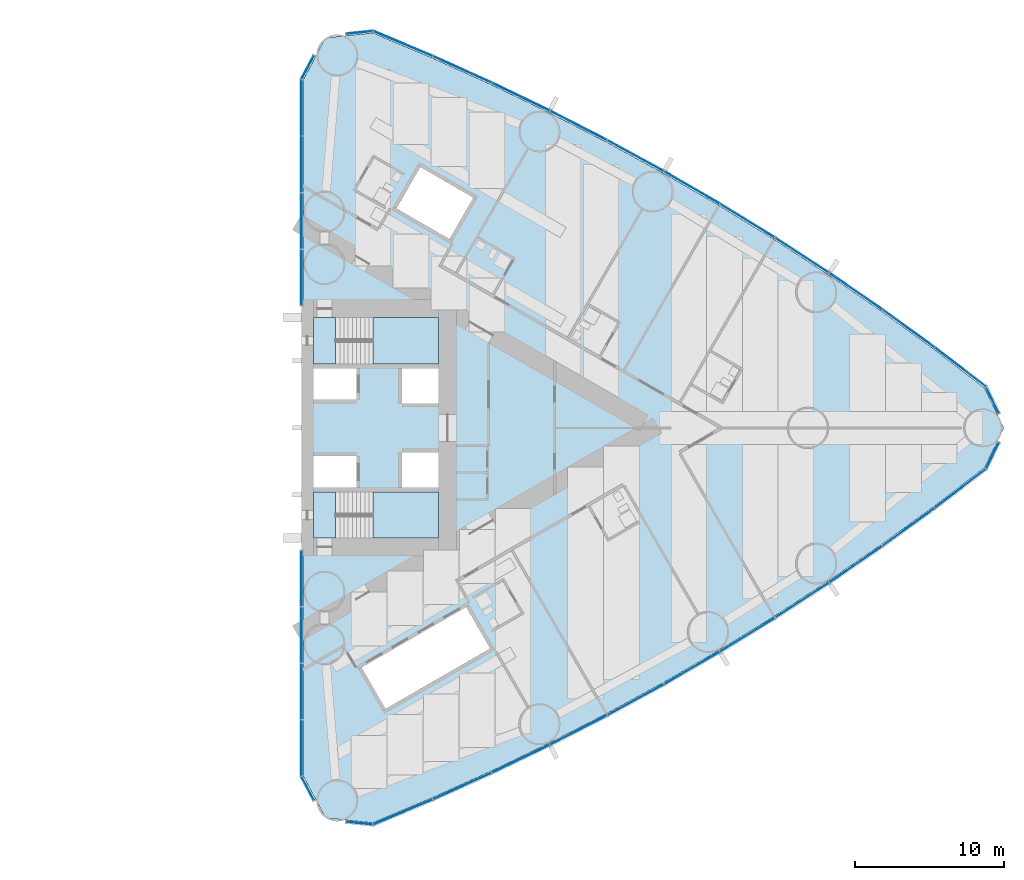
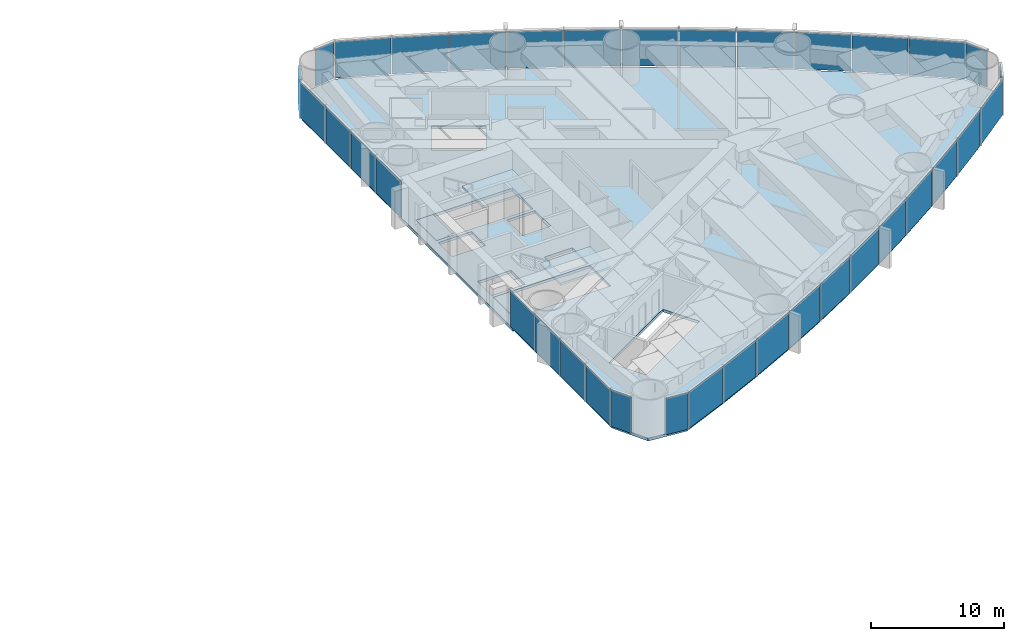
# One storey, part 10 of 19: 36 plates, 5 slabs, 6 elements without a shape of their own.
"""IFC4 building model written with IfcOpenShell, lengths in metres."""

from ifc_helpers import new_model, si_unit, direction, frame, origin, origin_2d, place, context, subcontext, project, spatial, polyline, rectangle, outline, extrude, material, layer, layer_set, type_object, element, aggregate, save


model = new_model("IFC4")

# Units and contexts
model_context = context("Model", 3, precision=1e-05, world=origin(), true_north=direction((0.0, 1.0)))
body_context = subcontext(model_context, "Body", "Model", "MODEL_VIEW")
ifc_project = project(units=[si_unit("LENGTHUNIT", "METRE"), si_unit("AREAUNIT", "SQUARE_METRE"), si_unit("VOLUMEUNIT", "CUBIC_METRE"), si_unit("PLANEANGLEUNIT", "RADIAN"), si_unit("MASSUNIT", "GRAM", prefix="KILO")], contexts=[model_context])

# Site, building, storey
site_placement = place(None, origin())
site = spatial("IfcSite", under=ifc_project, at=site_placement, CompositionType="ELEMENT")
building_placement = place(site_placement, origin())
building = spatial("IfcBuilding", under=site, at=building_placement, Name="Lancet Gate Hotel", CompositionType="ELEMENT")
storey_placement = place(building_placement, frame((0.0, 0.0, 74.0)))
storey = spatial("IfcBuildingStorey", under=building, at=storey_placement, Name="L19", CompositionType="ELEMENT", Elevation=74.0)

# Slab
ifc_material_1 = material(Name="Concrete C50/60", Category="concrete")
ifc_layer_1 = layer(ifc_material_1, 0.25)
ifc_layer_set_1 = layer_set([ifc_layer_1], Name="Floor slab 250")
slab_type_1 = type_object("IfcSlabType", Name="Floor slab 250", PredefinedType="FLOOR", material=ifc_layer_set_1)
slab_1_placement = place(storey_placement, frame((0.0, 0.0, -0.25)))
element("IfcSlab", 1, at=slab_1_placement, inside=storey, type_object=slab_type_1, Name="T2 L19 floor slab", PredefinedType="FLOOR", context=body_context, shape_type="SweptSolid", body=[
    extrude(outline(polyline([(27.5, -8.60009765625), (27.6201171875, -8.60009765625), (27.6201171875, -23.35498046875), (29.12158203125, -26.175537109375), (32.299072265625, -26.5048828125), (36.26708984375, -24.833740234375), (40.2177734375, -23.050048828125), (44.121826171875, -21.16650390625), (47.9765625, -19.18408203125), (51.77978515625, -17.104248046875), (55.528564453125, -14.92822265625), (59.220947265625, -12.657470703125), (62.854248046875, -10.29345703125), (66.42626953125, -7.837890625), (69.934814453125, -5.292236328125), (73.355712890625, -2.67431640625), (74.65576171875, 0.0), (73.355712890625, 2.67431640625), (69.934814453125, 5.292236328125), (66.42626953125, 7.837890625), (62.854248046875, 10.29345703125), (59.220947265625, 12.657470703125), (55.528564453125, 14.92822265625), (51.77978515625, 17.104248046875), (47.9765625, 19.18408203125), (44.121826171875, 21.16650390625), (40.2177734375, 23.050048828125), (36.26708984375, 24.833740234375), (32.299072265625, 26.5048828125), (29.12158203125, 26.175537109375), (27.6201171875, 23.35498046875), (27.6201171875, 8.60009765625), (27.5, 8.60009765625), (27.5, 8.199951171875), (27.5, -8.199951171875), (27.5, -8.60009765625)]), holes=[polyline([(36.699951171875, -7.39990234375), (36.699951171875, -4.300048828125), (28.300048828125, -4.300048828125), (28.300048828125, -7.39990234375), (36.699951171875, -7.39990234375)]), polyline([(28.300048828125, -4.0), (31.199951171875, -4.0), (31.199951171875, -1.89990234375), (28.300048828125, -1.89990234375), (28.300048828125, -4.0)]), polyline([(34.25, -4.0), (36.699951171875, -4.0), (36.699951171875, -1.64990234375), (34.25, -1.64990234375), (34.25, -4.0)]), polyline([(36.699951171875, 1.64990234375), (36.699951171875, 4.0), (34.25, 4.0), (34.25, 1.64990234375), (36.699951171875, 1.64990234375)]), polyline([(28.300048828125, 1.89990234375), (31.199951171875, 1.89990234375), (31.199951171875, 4.0), (28.300048828125, 4.0), (28.300048828125, 1.89990234375)]), polyline([(28.300048828125, 4.300048828125), (36.699951171875, 4.300048828125), (36.699951171875, 7.39990234375), (28.300048828125, 7.39990234375), (28.300048828125, 4.300048828125)]), polyline([(31.549072265625, -16.0810546875), (33.14892578125, -18.85205078125), (40.1640625, -14.802001953125), (38.56396484375, -12.031005859375), (31.549072265625, -16.0810546875)]), polyline([(33.887939453125, 14.73095703125), (37.43798828125, 12.680908203125), (39.0380859375, 15.451904296875), (35.488037109375, 17.501953125), (33.887939453125, 14.73095703125)])]), origin(), (0.0, 0.0, 1.0), 0.25),
])

# Stair, slabs
ifc_material_2 = material(Name="Exit stair 20 risers 1500")
stair_type = type_object("IfcStairType", Name="Exit stair 20 risers 1500", PredefinedType="HALF_TURN_STAIR", material=ifc_material_2)
stair_1_placement = place(storey_placement, origin())
stair_1 = element("IfcStair", 2, at=stair_1_placement, inside=storey, type_object=stair_type, Name="T2 stair 1 L19", PredefinedType="HALF_TURN_STAIR")
ifc_material_3 = material(Name="Concrete C40/50", Category="concrete")
ifc_layer_2 = layer(ifc_material_3, 0.199951171875)
ifc_layer_set_2 = layer_set([ifc_layer_2], Name="Stair landing 200")
slab_type_2 = type_object("IfcSlabType", Name="Stair landing 200", PredefinedType="LANDING", material=ifc_layer_set_2)
slab_2_placement = place(storey_placement, frame((0.0, 0.0, -0.199951171875)))
slab_2 = element("IfcSlab", 3, at=slab_2_placement, type_object=slab_type_2, Name="ST3 landing 1", PredefinedType="LANDING", context=body_context, shape_type="SweptSolid", body=[
    extrude(outline(polyline([(28.300048828125, -7.39990234375), (29.800048828125, -7.39990234375), (29.800048828125, -4.300048828125), (28.300048828125, -4.300048828125), (28.300048828125, -7.39990234375)])), origin(), (0.0, 0.0, 1.0), 0.199951171875),
])
slab_3_placement = place(storey_placement, frame((0.0, 0.0, 1.550048828125)))
slab_3 = element("IfcSlab", 4, at=slab_3_placement, type_object=slab_type_2, Name="ST3 landing 2", PredefinedType="LANDING", context=body_context, shape_type="SweptSolid", body=[
    extrude(outline(polyline([(32.320068359375, -7.39990234375), (36.699951171875, -7.39990234375), (36.699951171875, -4.300048828125), (32.320068359375, -4.300048828125), (32.320068359375, -7.39990234375)])), origin(), (0.0, 0.0, 1.0), 0.199951171875),
])
aggregate(stair_1, [slab_2, slab_3])

stair_2_placement = place(storey_placement, origin())
stair_2 = element("IfcStair", 5, at=stair_2_placement, inside=storey, type_object=stair_type, Name="T2 stair 2 L19", PredefinedType="HALF_TURN_STAIR")
slab_4_placement = place(storey_placement, frame((0.0, 0.0, -0.199951171875)))
slab_4 = element("IfcSlab", 6, at=slab_4_placement, type_object=slab_type_2, Name="ST4 landing 1", PredefinedType="LANDING", context=body_context, shape_type="SweptSolid", body=[
    extrude(outline(polyline([(28.300048828125, 4.300048828125), (29.800048828125, 4.300048828125), (29.800048828125, 7.39990234375), (28.300048828125, 7.39990234375), (28.300048828125, 4.300048828125)])), origin(), (0.0, 0.0, 1.0), 0.199951171875),
])
slab_5_placement = place(storey_placement, frame((0.0, 0.0, 1.550048828125)))
slab_5 = element("IfcSlab", 7, at=slab_5_placement, type_object=slab_type_2, Name="ST4 landing 2", PredefinedType="LANDING", context=body_context, shape_type="SweptSolid", body=[
    extrude(outline(polyline([(32.320068359375, 4.300048828125), (36.699951171875, 4.300048828125), (36.699951171875, 7.39990234375), (32.320068359375, 7.39990234375), (32.320068359375, 4.300048828125)])), origin(), (0.0, 0.0, 1.0), 0.199951171875),
])
aggregate(stair_2, [slab_4, slab_5])

# Curtain wall, plates
ifc_material_4 = material(Name="Aluminium curtain wall", Category="aluminium")
curtain_wall_type = type_object("IfcCurtainWallType", Name="Tower unitised curtain wall", PredefinedType="USERDEFINED", material=ifc_material_4)
curtain_wall_1_placement = place(storey_placement, origin())
curtain_wall_1 = element("IfcCurtainWall", 8, at=curtain_wall_1_placement, inside=storey, type_object=curtain_wall_type, Name="T2 L19 curtain wall 1", ObjectType="UNITISED CURTAIN WALL", PredefinedType="USERDEFINED")
ifc_material_5 = material(Name="Glass double glazed unit 8-16-6", Category="glass")
ifc_layer_3 = layer(ifc_material_5, 0.030029296875)
ifc_layer_set_3 = layer_set([ifc_layer_3], Name="Vision panel double glazed")
plate_type = type_object("IfcPlateType", Name="Vision panel double glazed", PredefinedType="CURTAIN_PANEL", material=ifc_layer_set_3)
plate_1_placement = place(storey_placement, frame((27.5, -10.09814453125, 0.0), z_axis=(0.0, 0.0, 1.0), x_axis=(0.0, -1.0, 0.0)))
plate_1 = element("IfcPlate", 9, at=plate_1_placement, type_object=plate_type, Name="T2 L19 curtain wall 1 panel 1", PredefinedType="CURTAIN_PANEL", context=body_context, shape_type="SweptSolid", body=[
    extrude(rectangle(XDim=3.731201171875, YDim=0.030029296875, at=origin_2d()), origin(), (0.0, 0.0, 1.0), 3.35009765625),
])
plate_2_placement = place(storey_placement, frame((27.5, -13.894287109375, 0.0), z_axis=(0.0, 0.0, 1.0), x_axis=(0.0, -1.0, 0.0)))
plate_2 = element("IfcPlate", 10, at=plate_2_placement, type_object=plate_type, Name="T2 L19 curtain wall 1 panel 2", PredefinedType="CURTAIN_PANEL", context=body_context, shape_type="SweptSolid", body=[
    extrude(rectangle(XDim=3.731201171875, YDim=0.030029296875, at=origin_2d()), origin(), (0.0, 0.0, 1.0), 3.35009765625),
])
plate_3_placement = place(storey_placement, frame((27.5, -17.6904296875, 0.0), z_axis=(0.0, 0.0, 1.0), x_axis=(0.0, -1.0, 0.0)))
plate_3 = element("IfcPlate", 11, at=plate_3_placement, type_object=plate_type, Name="T2 L19 curtain wall 1 panel 3", PredefinedType="CURTAIN_PANEL", context=body_context, shape_type="SweptSolid", body=[
    extrude(rectangle(XDim=3.731201171875, YDim=0.030029296875, at=origin_2d()), origin(), (0.0, 0.0, 1.0), 3.35009765625),
])
plate_4_placement = place(storey_placement, frame((27.5, -21.48681640625, 0.0), z_axis=(0.0, 0.0, 1.0), x_axis=(0.0, -1.0, 0.0)))
plate_4 = element("IfcPlate", 12, at=plate_4_placement, type_object=plate_type, Name="T2 L19 curtain wall 1 panel 4", PredefinedType="CURTAIN_PANEL", context=body_context, shape_type="SweptSolid", body=[
    extrude(rectangle(XDim=3.731201171875, YDim=0.030029296875, at=origin_2d()), origin(), (0.0, 0.0, 1.0), 3.35009765625),
])
plate_5_placement = place(storey_placement, frame((27.933349609375, -24.19873046875, 0.0), z_axis=(0.0, 0.0, 1.0), x_axis=(0.469897827284, -0.882720811987, 0.0)))
plate_5 = element("IfcPlate", 13, at=plate_5_placement, type_object=plate_type, Name="T2 L19 curtain wall 1 panel 5", PredefinedType="CURTAIN_PANEL", context=body_context, shape_type="SweptSolid", body=[
    extrude(rectangle(XDim=1.779052734375, YDim=0.030029296875, at=origin_2d()), origin(), (0.0, 0.0, 1.0), 3.35009765625),
])
aggregate(curtain_wall_1, [plate_1, plate_2, plate_3, plate_4, plate_5])

curtain_wall_2_placement = place(storey_placement, origin())
curtain_wall_2 = element("IfcCurtainWall", 14, at=curtain_wall_2_placement, inside=storey, type_object=curtain_wall_type, Name="T2 L19 curtain wall 2", ObjectType="UNITISED CURTAIN WALL", PredefinedType="USERDEFINED")
plate_6_placement = place(storey_placement, frame((31.400634765625, -26.532470703125, 0.0), z_axis=(0.0, 0.0, 1.0), x_axis=(0.994672262412, -0.10308778001, 0.0)))
plate_6 = element("IfcPlate", 15, at=plate_6_placement, type_object=plate_type, Name="T2 L19 curtain wall 2 panel 1", PredefinedType="CURTAIN_PANEL", context=body_context, shape_type="SweptSolid", body=[
    extrude(rectangle(XDim=1.7783203125, YDim=0.030029296875, at=origin_2d()), origin(), (0.0, 0.0, 1.0), 3.35009765625),
])
plate_7_placement = place(storey_placement, frame((34.316162109375, -25.78564453125, 0.0), z_axis=(0.0, 0.0, 1.0), x_axis=(0.92159330598, 0.38815689917, 0.0)))
plate_7 = element("IfcPlate", 16, at=plate_7_placement, type_object=plate_type, Name="T2 L19 curtain wall 2 panel 2", PredefinedType="CURTAIN_PANEL", context=body_context, shape_type="SweptSolid", body=[
    extrude(rectangle(XDim=4.272705078125, YDim=0.030029296875, at=origin_2d()), origin(), (0.0, 0.0, 1.0), 3.35009765625),
])
plate_8_placement = place(storey_placement, frame((38.291748046875, -24.05126953125, 0.0), z_axis=(0.0, 0.0, 1.0), x_axis=(0.911415640556, 0.41148697446, 0.0)))
plate_8 = element("IfcPlate", 17, at=plate_8_placement, type_object=plate_type, Name="T2 L19 curtain wall 2 panel 3", PredefinedType="CURTAIN_PANEL", context=body_context, shape_type="SweptSolid", body=[
    extrude(rectangle(XDim=4.272705078125, YDim=0.030029296875, at=origin_2d()), origin(), (0.0, 0.0, 1.0), 3.35009765625),
])
plate_9_placement = place(storey_placement, frame((42.221923828125, -22.21630859375, 0.0), z_axis=(0.0, 0.0, 1.0), x_axis=(0.90064748964, 0.434550456686, 0.0)))
plate_9 = element("IfcPlate", 18, at=plate_9_placement, type_object=plate_type, Name="T2 L19 curtain wall 2 panel 4", PredefinedType="CURTAIN_PANEL", context=body_context, shape_type="SweptSolid", body=[
    extrude(rectangle(XDim=4.272705078125, YDim=0.030029296875, at=origin_2d()), origin(), (0.0, 0.0, 1.0), 3.35009765625),
])
plate_10_placement = place(storey_placement, frame((46.10400390625, -20.281982421875, 0.0), z_axis=(0.0, 0.0, 1.0), x_axis=(0.889295829671, 0.457332403541, 0.0)))
plate_10 = element("IfcPlate", 19, at=plate_10_placement, type_object=plate_type, Name="T2 L19 curtain wall 2 panel 5", PredefinedType="CURTAIN_PANEL", context=body_context, shape_type="SweptSolid", body=[
    extrude(rectangle(XDim=4.272705078125, YDim=0.030029296875, at=origin_2d()), origin(), (0.0, 0.0, 1.0), 3.35009765625),
])
plate_11_placement = place(storey_placement, frame((49.935791015625, -18.249267578125, 0.0), z_axis=(0.0, 0.0, 1.0), x_axis=(0.877368015134, 0.47981805512, 0.0)))
plate_11 = element("IfcPlate", 20, at=plate_11_placement, type_object=plate_type, Name="T2 L19 curtain wall 2 panel 6", PredefinedType="CURTAIN_PANEL", context=body_context, shape_type="SweptSolid", body=[
    extrude(rectangle(XDim=4.272705078125, YDim=0.030029296875, at=origin_2d()), origin(), (0.0, 0.0, 1.0), 3.35009765625),
])
plate_12_placement = place(storey_placement, frame((53.71435546875, -16.119873046875, 0.0), z_axis=(0.0, 0.0, 1.0), x_axis=(0.864871773788, 0.501992843479, 0.0)))
plate_12 = element("IfcPlate", 21, at=plate_12_placement, type_object=plate_type, Name="T2 L19 curtain wall 2 panel 7", PredefinedType="CURTAIN_PANEL", context=body_context, shape_type="SweptSolid", body=[
    extrude(rectangle(XDim=4.272705078125, YDim=0.030029296875, at=origin_2d()), origin(), (0.0, 0.0, 1.0), 3.35009765625),
])
plate_13_placement = place(storey_placement, frame((57.437744140625, -13.89501953125, 0.0), z_axis=(0.0, 0.0, 1.0), x_axis=(0.851815201664, 0.523842402077, 0.0)))
plate_13 = element("IfcPlate", 22, at=plate_13_placement, type_object=plate_type, Name="T2 L19 curtain wall 2 panel 8", PredefinedType="CURTAIN_PANEL", context=body_context, shape_type="SweptSolid", body=[
    extrude(rectangle(XDim=4.272705078125, YDim=0.030029296875, at=origin_2d()), origin(), (0.0, 0.0, 1.0), 3.35009765625),
])
plate_14_placement = place(storey_placement, frame((61.10302734375, -11.576171875, 0.0), z_axis=(0.0, 0.0, 1.0), x_axis=(0.838206757819, 0.54535257508, 0.0)))
plate_14 = element("IfcPlate", 23, at=plate_14_placement, type_object=plate_type, Name="T2 L19 curtain wall 2 panel 9", PredefinedType="CURTAIN_PANEL", context=body_context, shape_type="SweptSolid", body=[
    extrude(rectangle(XDim=4.272705078125, YDim=0.030029296875, at=origin_2d()), origin(), (0.0, 0.0, 1.0), 3.35009765625),
])
plate_15_placement = place(storey_placement, frame((64.708251953125, -9.16455078125, 0.0), z_axis=(0.0, 0.0, 1.0), x_axis=(0.824055258853, 0.566509426538, 0.0)))
plate_15 = element("IfcPlate", 24, at=plate_15_placement, type_object=plate_type, Name="T2 L19 curtain wall 2 panel 10", PredefinedType="CURTAIN_PANEL", context=body_context, shape_type="SweptSolid", body=[
    extrude(rectangle(XDim=4.272705078125, YDim=0.030029296875, at=origin_2d()), origin(), (0.0, 0.0, 1.0), 3.35009765625),
])
plate_16_placement = place(storey_placement, frame((68.2509765625, -6.662109375, 0.0), z_axis=(0.0, 0.0, 1.0), x_axis=(0.809369873203, 0.587299249405, 0.0)))
plate_16 = element("IfcPlate", 25, at=plate_16_placement, type_object=plate_type, Name="T2 L19 curtain wall 2 panel 11", PredefinedType="CURTAIN_PANEL", context=body_context, shape_type="SweptSolid", body=[
    extrude(rectangle(XDim=4.272705078125, YDim=0.030029296875, at=origin_2d()), origin(), (0.0, 0.0, 1.0), 3.35009765625),
])
plate_17_placement = place(storey_placement, frame((71.72900390625, -4.0703125, 0.0), z_axis=(0.0, 0.0, 1.0), x_axis=(0.794160115195, 0.607708574428, 0.0)))
plate_17 = element("IfcPlate", 26, at=plate_17_placement, type_object=plate_type, Name="T2 L19 curtain wall 2 panel 12", PredefinedType="CURTAIN_PANEL", context=body_context, shape_type="SweptSolid", body=[
    extrude(rectangle(XDim=4.272705078125, YDim=0.030029296875, at=origin_2d()), origin(), (0.0, 0.0, 1.0), 3.35009765625),
])
plate_18_placement = place(storey_placement, frame((73.88671875, -1.856201171875, 0.0), z_axis=(0.0, 0.0, 1.0), x_axis=(0.437169070119, 0.899379343843, 0.0)))
plate_18 = element("IfcPlate", 27, at=plate_18_placement, type_object=plate_type, Name="T2 L19 curtain wall 2 panel 13", PredefinedType="CURTAIN_PANEL", context=body_context, shape_type="SweptSolid", body=[
    extrude(rectangle(XDim=1.92724609375, YDim=0.030029296875, at=origin_2d()), origin(), (0.0, 0.0, 1.0), 3.35009765625),
])
aggregate(curtain_wall_2, [plate_6, plate_7, plate_8, plate_9, plate_10, plate_11, plate_12, plate_13, plate_14, plate_15, plate_16, plate_17, plate_18])

curtain_wall_3_placement = place(storey_placement, origin())
curtain_wall_3 = element("IfcCurtainWall", 28, at=curtain_wall_3_placement, inside=storey, type_object=curtain_wall_type, Name="T2 L19 curtain wall 3", ObjectType="UNITISED CURTAIN WALL", PredefinedType="USERDEFINED")
plate_19_placement = place(storey_placement, frame((73.88671875, 1.856201171875, 0.0), z_axis=(0.0, 0.0, 1.0), x_axis=(-0.437169070119, 0.899379343843, 0.0)))
plate_19 = element("IfcPlate", 29, at=plate_19_placement, type_object=plate_type, Name="T2 L19 curtain wall 3 panel 1", PredefinedType="CURTAIN_PANEL", context=body_context, shape_type="SweptSolid", body=[
    extrude(rectangle(XDim=1.92724609375, YDim=0.030029296875, at=origin_2d()), origin(), (0.0, 0.0, 1.0), 3.35009765625),
])
plate_20_placement = place(storey_placement, frame((71.72900390625, 4.0703125, 0.0), z_axis=(0.0, 0.0, 1.0), x_axis=(-0.794160115195, 0.607708574428, 0.0)))
plate_20 = element("IfcPlate", 30, at=plate_20_placement, type_object=plate_type, Name="T2 L19 curtain wall 3 panel 2", PredefinedType="CURTAIN_PANEL", context=body_context, shape_type="SweptSolid", body=[
    extrude(rectangle(XDim=4.272705078125, YDim=0.030029296875, at=origin_2d()), origin(), (0.0, 0.0, 1.0), 3.35009765625),
])
plate_21_placement = place(storey_placement, frame((68.2509765625, 6.662109375, 0.0), z_axis=(0.0, 0.0, 1.0), x_axis=(-0.809369873203, 0.587299249405, 0.0)))
plate_21 = element("IfcPlate", 31, at=plate_21_placement, type_object=plate_type, Name="T2 L19 curtain wall 3 panel 3", PredefinedType="CURTAIN_PANEL", context=body_context, shape_type="SweptSolid", body=[
    extrude(rectangle(XDim=4.272705078125, YDim=0.030029296875, at=origin_2d()), origin(), (0.0, 0.0, 1.0), 3.35009765625),
])
plate_22_placement = place(storey_placement, frame((64.708251953125, 9.16455078125, 0.0), z_axis=(0.0, 0.0, 1.0), x_axis=(-0.824055258853, 0.566509426538, 0.0)))
plate_22 = element("IfcPlate", 32, at=plate_22_placement, type_object=plate_type, Name="T2 L19 curtain wall 3 panel 4", PredefinedType="CURTAIN_PANEL", context=body_context, shape_type="SweptSolid", body=[
    extrude(rectangle(XDim=4.272705078125, YDim=0.030029296875, at=origin_2d()), origin(), (0.0, 0.0, 1.0), 3.35009765625),
])
plate_23_placement = place(storey_placement, frame((61.10302734375, 11.576171875, 0.0), z_axis=(0.0, 0.0, 1.0), x_axis=(-0.838206757819, 0.54535257508, 0.0)))
plate_23 = element("IfcPlate", 33, at=plate_23_placement, type_object=plate_type, Name="T2 L19 curtain wall 3 panel 5", PredefinedType="CURTAIN_PANEL", context=body_context, shape_type="SweptSolid", body=[
    extrude(rectangle(XDim=4.272705078125, YDim=0.030029296875, at=origin_2d()), origin(), (0.0, 0.0, 1.0), 3.35009765625),
])
plate_24_placement = place(storey_placement, frame((57.437744140625, 13.89501953125, 0.0), z_axis=(0.0, 0.0, 1.0), x_axis=(-0.851815201664, 0.523842402077, 0.0)))
plate_24 = element("IfcPlate", 34, at=plate_24_placement, type_object=plate_type, Name="T2 L19 curtain wall 3 panel 6", PredefinedType="CURTAIN_PANEL", context=body_context, shape_type="SweptSolid", body=[
    extrude(rectangle(XDim=4.272705078125, YDim=0.030029296875, at=origin_2d()), origin(), (0.0, 0.0, 1.0), 3.35009765625),
])
plate_25_placement = place(storey_placement, frame((53.71435546875, 16.119873046875, 0.0), z_axis=(0.0, 0.0, 1.0), x_axis=(-0.864871773788, 0.501992843479, 0.0)))
plate_25 = element("IfcPlate", 35, at=plate_25_placement, type_object=plate_type, Name="T2 L19 curtain wall 3 panel 7", PredefinedType="CURTAIN_PANEL", context=body_context, shape_type="SweptSolid", body=[
    extrude(rectangle(XDim=4.272705078125, YDim=0.030029296875, at=origin_2d()), origin(), (0.0, 0.0, 1.0), 3.35009765625),
])
plate_26_placement = place(storey_placement, frame((49.935791015625, 18.249267578125, 0.0), z_axis=(0.0, 0.0, 1.0), x_axis=(-0.877368015134, 0.47981805512, 0.0)))
plate_26 = element("IfcPlate", 36, at=plate_26_placement, type_object=plate_type, Name="T2 L19 curtain wall 3 panel 8", PredefinedType="CURTAIN_PANEL", context=body_context, shape_type="SweptSolid", body=[
    extrude(rectangle(XDim=4.272705078125, YDim=0.030029296875, at=origin_2d()), origin(), (0.0, 0.0, 1.0), 3.35009765625),
])
plate_27_placement = place(storey_placement, frame((46.10400390625, 20.281982421875, 0.0), z_axis=(0.0, 0.0, 1.0), x_axis=(-0.889295829671, 0.457332403541, 0.0)))
plate_27 = element("IfcPlate", 37, at=plate_27_placement, type_object=plate_type, Name="T2 L19 curtain wall 3 panel 9", PredefinedType="CURTAIN_PANEL", context=body_context, shape_type="SweptSolid", body=[
    extrude(rectangle(XDim=4.272705078125, YDim=0.030029296875, at=origin_2d()), origin(), (0.0, 0.0, 1.0), 3.35009765625),
])
plate_28_placement = place(storey_placement, frame((42.221923828125, 22.21630859375, 0.0), z_axis=(0.0, 0.0, 1.0), x_axis=(-0.90064748964, 0.434550456686, 0.0)))
plate_28 = element("IfcPlate", 38, at=plate_28_placement, type_object=plate_type, Name="T2 L19 curtain wall 3 panel 10", PredefinedType="CURTAIN_PANEL", context=body_context, shape_type="SweptSolid", body=[
    extrude(rectangle(XDim=4.272705078125, YDim=0.030029296875, at=origin_2d()), origin(), (0.0, 0.0, 1.0), 3.35009765625),
])
plate_29_placement = place(storey_placement, frame((38.291748046875, 24.05126953125, 0.0), z_axis=(0.0, 0.0, 1.0), x_axis=(-0.911415640556, 0.41148697446, 0.0)))
plate_29 = element("IfcPlate", 39, at=plate_29_placement, type_object=plate_type, Name="T2 L19 curtain wall 3 panel 11", PredefinedType="CURTAIN_PANEL", context=body_context, shape_type="SweptSolid", body=[
    extrude(rectangle(XDim=4.272705078125, YDim=0.030029296875, at=origin_2d()), origin(), (0.0, 0.0, 1.0), 3.35009765625),
])
plate_30_placement = place(storey_placement, frame((34.316162109375, 25.78564453125, 0.0), z_axis=(0.0, 0.0, 1.0), x_axis=(-0.92159330598, 0.38815689917, 0.0)))
plate_30 = element("IfcPlate", 40, at=plate_30_placement, type_object=plate_type, Name="T2 L19 curtain wall 3 panel 12", PredefinedType="CURTAIN_PANEL", context=body_context, shape_type="SweptSolid", body=[
    extrude(rectangle(XDim=4.272705078125, YDim=0.030029296875, at=origin_2d()), origin(), (0.0, 0.0, 1.0), 3.35009765625),
])
plate_31_placement = place(storey_placement, frame((31.400634765625, 26.532470703125, 0.0), z_axis=(0.0, 0.0, 1.0), x_axis=(-0.994672262412, -0.10308778001, 0.0)))
plate_31 = element("IfcPlate", 41, at=plate_31_placement, type_object=plate_type, Name="T2 L19 curtain wall 3 panel 13", PredefinedType="CURTAIN_PANEL", context=body_context, shape_type="SweptSolid", body=[
    extrude(rectangle(XDim=1.7783203125, YDim=0.030029296875, at=origin_2d()), origin(), (0.0, 0.0, 1.0), 3.35009765625),
])
aggregate(curtain_wall_3, [plate_19, plate_20, plate_21, plate_22, plate_23, plate_24, plate_25, plate_26, plate_27, plate_28, plate_29, plate_30, plate_31])

curtain_wall_4_placement = place(storey_placement, origin())
curtain_wall_4 = element("IfcCurtainWall", 42, at=curtain_wall_4_placement, inside=storey, type_object=curtain_wall_type, Name="T2 L19 curtain wall 4", ObjectType="UNITISED CURTAIN WALL", PredefinedType="USERDEFINED")
plate_32_placement = place(storey_placement, frame((27.933349609375, 24.19873046875, 0.0), z_axis=(0.0, 0.0, 1.0), x_axis=(-0.469897827284, -0.882720811987, 0.0)))
plate_32 = element("IfcPlate", 43, at=plate_32_placement, type_object=plate_type, Name="T2 L19 curtain wall 4 panel 1", PredefinedType="CURTAIN_PANEL", context=body_context, shape_type="SweptSolid", body=[
    extrude(rectangle(XDim=1.779052734375, YDim=0.030029296875, at=origin_2d()), origin(), (0.0, 0.0, 1.0), 3.35009765625),
])
plate_33_placement = place(storey_placement, frame((27.5, 21.48681640625, 0.0), z_axis=(0.0, 0.0, 1.0), x_axis=(0.0, -1.0, 0.0)))
plate_33 = element("IfcPlate", 44, at=plate_33_placement, type_object=plate_type, Name="T2 L19 curtain wall 4 panel 2", PredefinedType="CURTAIN_PANEL", context=body_context, shape_type="SweptSolid", body=[
    extrude(rectangle(XDim=3.731201171875, YDim=0.030029296875, at=origin_2d()), origin(), (0.0, 0.0, 1.0), 3.35009765625),
])
plate_34_placement = place(storey_placement, frame((27.5, 17.6904296875, 0.0), z_axis=(0.0, 0.0, 1.0), x_axis=(0.0, -1.0, 0.0)))
plate_34 = element("IfcPlate", 45, at=plate_34_placement, type_object=plate_type, Name="T2 L19 curtain wall 4 panel 3", PredefinedType="CURTAIN_PANEL", context=body_context, shape_type="SweptSolid", body=[
    extrude(rectangle(XDim=3.731201171875, YDim=0.030029296875, at=origin_2d()), origin(), (0.0, 0.0, 1.0), 3.35009765625),
])
plate_35_placement = place(storey_placement, frame((27.5, 13.894287109375, 0.0), z_axis=(0.0, 0.0, 1.0), x_axis=(0.0, -1.0, 0.0)))
plate_35 = element("IfcPlate", 46, at=plate_35_placement, type_object=plate_type, Name="T2 L19 curtain wall 4 panel 4", PredefinedType="CURTAIN_PANEL", context=body_context, shape_type="SweptSolid", body=[
    extrude(rectangle(XDim=3.731201171875, YDim=0.030029296875, at=origin_2d()), origin(), (0.0, 0.0, 1.0), 3.35009765625),
])
plate_36_placement = place(storey_placement, frame((27.5, 10.09814453125, 0.0), z_axis=(0.0, 0.0, 1.0), x_axis=(0.0, -1.0, 0.0)))
plate_36 = element("IfcPlate", 47, at=plate_36_placement, type_object=plate_type, Name="T2 L19 curtain wall 4 panel 5", PredefinedType="CURTAIN_PANEL", context=body_context, shape_type="SweptSolid", body=[
    extrude(rectangle(XDim=3.731201171875, YDim=0.030029296875, at=origin_2d()), origin(), (0.0, 0.0, 1.0), 3.35009765625),
])
aggregate(curtain_wall_4, [plate_32, plate_33, plate_34, plate_35, plate_36])

save(model, "model.ifc")
